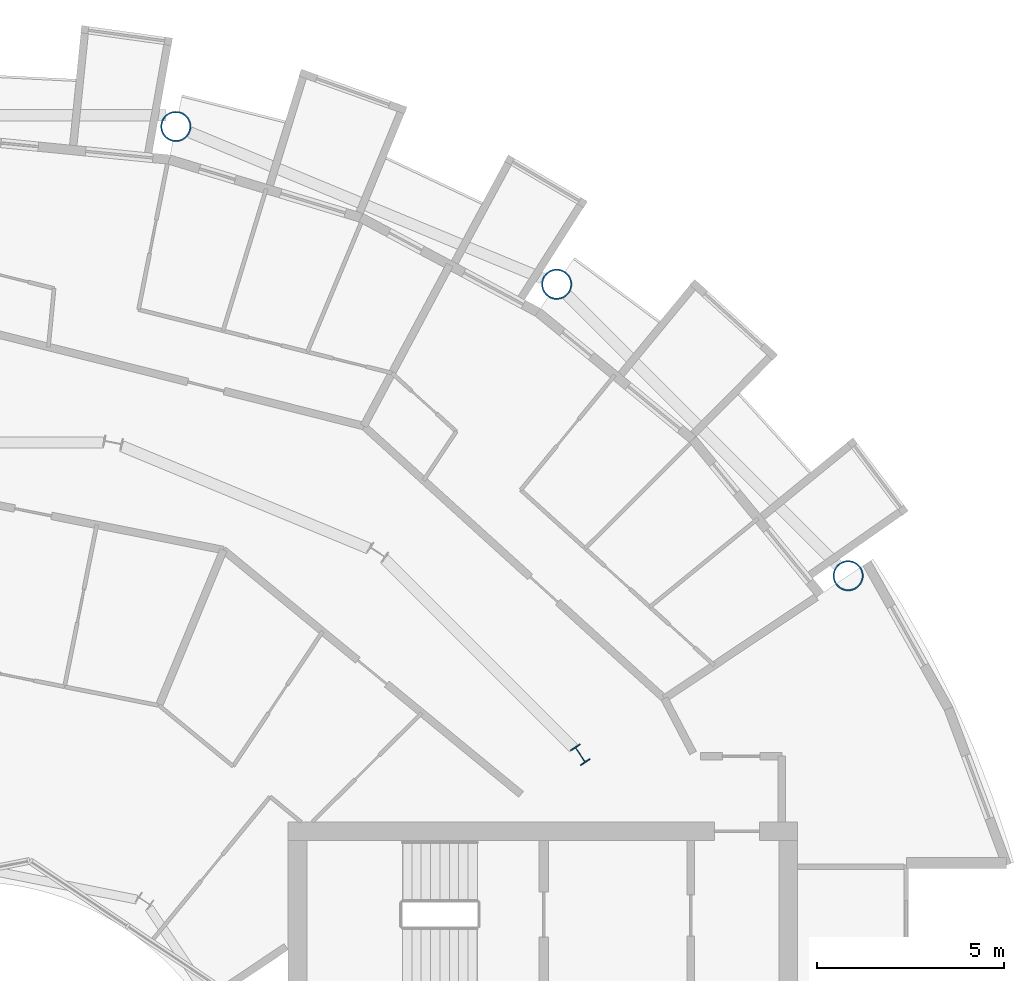
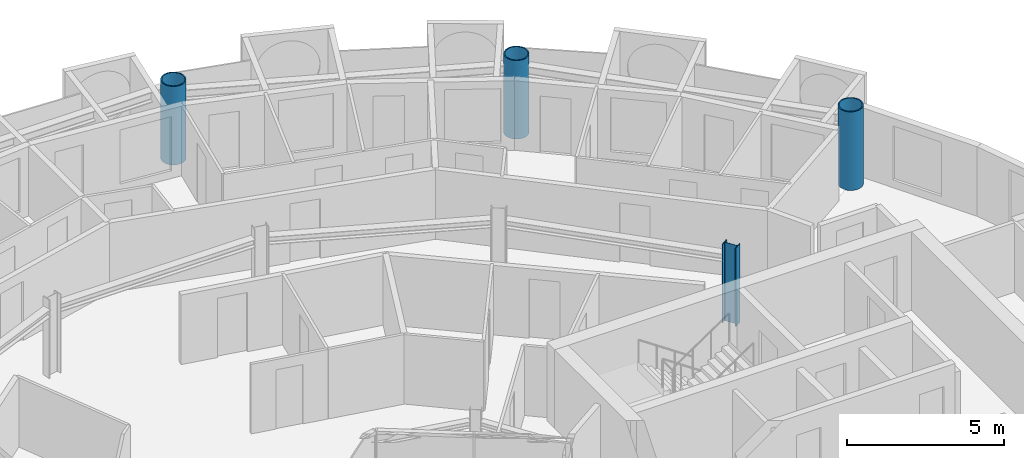
# One storey, part 4 of 27: 4 columns.
"""IFC4 building model written with IfcOpenShell, lengths in metres."""

from ifc_helpers import new_model, si_unit, direction, frame, origin, origin_2d, place, context, subcontext, project, spatial, hollow_circle, i_section, extrude, material, material_profile, profile_set, type_object, element, save


model = new_model("IFC4")

# Units and contexts
model_context = context("Model", 3, precision=1e-05, world=origin(), true_north=direction((0.0, 1.0)))
body_context = subcontext(model_context, "Body", "Model", "MODEL_VIEW")
ifc_project = project(units=[si_unit("LENGTHUNIT", "METRE"), si_unit("AREAUNIT", "SQUARE_METRE"), si_unit("VOLUMEUNIT", "CUBIC_METRE"), si_unit("PLANEANGLEUNIT", "RADIAN"), si_unit("MASSUNIT", "GRAM", prefix="KILO")], contexts=[model_context])

# Site, building, storey
site_placement = place(None, origin())
site = spatial("IfcSite", under=ifc_project, at=site_placement, CompositionType="ELEMENT")
building_placement = place(site_placement, origin())
building = spatial("IfcBuilding", under=site, at=building_placement, Name="Maasbend Ring Residences", CompositionType="ELEMENT")
storey_placement = place(building_placement, frame((0.0, 0.0, 164.64990234375)))
storey = spatial("IfcBuildingStorey", under=building, at=storey_placement, Name="L47", CompositionType="ELEMENT", Elevation=164.64990234375)

# Columns
ifc_material_1 = material(Name="Composite concrete-filled steel tube S460NH / C80/95", Category="concrete")
ifc_material_profile_1 = material_profile(ifc_material_1, hollow_circle(Radius=0.406494140625, WallThickness=0.0400390625, at=origin_2d()), Name="Composite tube column CHS 813x40")
ifc_profile_set_1 = profile_set([ifc_material_profile_1], Name="Composite concrete-filled steel tube S460NH / C80/95")
column_type_1 = type_object("IfcColumnType", Name="Composite tube column CHS 813x40", PredefinedType="COLUMN", material=ifc_profile_set_1)
for number, where, z_axis, x_axis, name in (
    (1, (23.447509765625, 15.6669921875, 0.0), (0.0, 0.0, 1.0), (1.0, 0.0, 0.0), "Outer column R2"),
    (2, (15.6669921875, 23.447509765625, 0.0), (0.0, 0.0, 1.0), (1.0, 0.0, 0.0), "Outer column R3"),
    (3, (5.50146484375, 27.658203125, 0.0), (0.0, 0.0, 1.0), (1.0, 0.0, 0.0), "Outer column R4"),
):
    element("IfcColumn", number, at=place(storey_placement, frame(where, z_axis=z_axis, x_axis=x_axis)), inside=storey, type_object=column_type_1, Name=name, PredefinedType="COLUMN", context=body_context, shape_type="SweptSolid", body=[
        extrude(hollow_circle(Radius=0.406494140625, WallThickness=0.0400390625, at=origin_2d()), origin(), (0.0, 0.0, 1.0), 3.050048828125),
    ])
ifc_material_2 = material(Name="Steel S355J2", Category="steel")
ifc_material_profile_2 = material_profile(ifc_material_2, i_section(OverallWidth=0.300048828125, OverallDepth=0.5, WebThickness=0.014404296875, FlangeThickness=0.028076171875, FilletRadius=0.027099609375, at=origin_2d()), Name="HEB 500")
ifc_profile_set_2 = profile_set([ifc_material_profile_2], Name="Steel S355J2")
column_type_2 = type_object("IfcColumnType", Name="Steel column HEB 500", PredefinedType="COLUMN", material=ifc_profile_set_2)
column_placement = place(storey_placement, frame((16.296875, 10.88916015625, 0.0), z_axis=(0.0, 0.0, 1.0), x_axis=(0.831469612303, 0.55557023302, 0.0)))
element("IfcColumn", 4, at=column_placement, inside=storey, type_object=column_type_2, Name="Corridor ring column R2", PredefinedType="COLUMN", context=body_context, shape_type="SweptSolid", body=[
    extrude(i_section(OverallWidth=0.300048828125, OverallDepth=0.5, WebThickness=0.014404296875, FlangeThickness=0.028076171875, FilletRadius=0.027099609375, at=origin_2d()), origin(), (0.0, 0.0, 1.0), 3.050048828125),
])

save(model, "model.ifc")
